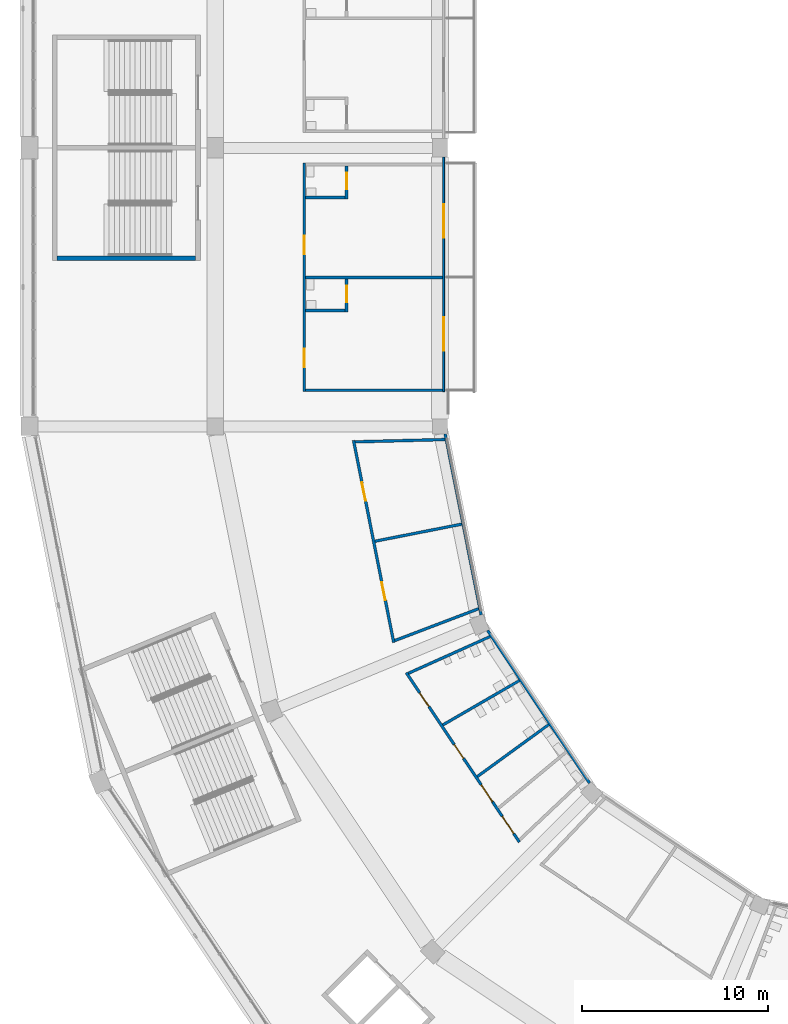
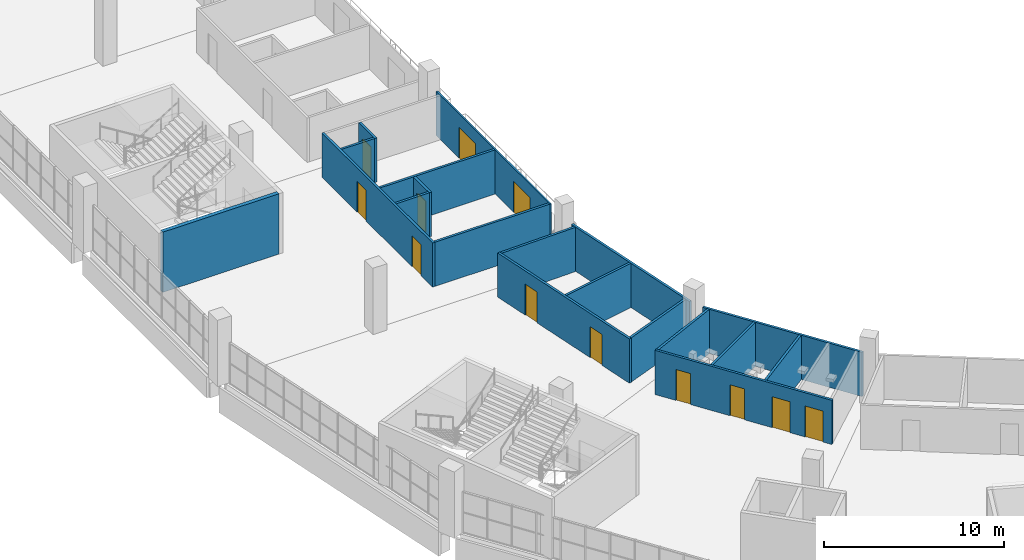
# One storey, part 74 of 199: 19 walls, 12 doors, 12 openings.
"""IFC4 building model written with IfcOpenShell, lengths in metres."""

from ifc_helpers import new_model, si_unit, direction, frame, frame_2d, origin, place, context, subcontext, project, spatial, rectangle, extrude, material, layer, layer_set, type_object, element, fill, save


model = new_model("IFC4")

# Units and contexts
model_context = context("Model", 3, precision=1e-05, world=origin(), true_north=direction((0.0, 1.0)))
body_context = subcontext(model_context, "Body", "Model", "MODEL_VIEW")
ifc_project = project(units=[si_unit("LENGTHUNIT", "METRE"), si_unit("AREAUNIT", "SQUARE_METRE"), si_unit("VOLUMEUNIT", "CUBIC_METRE"), si_unit("PLANEANGLEUNIT", "RADIAN"), si_unit("MASSUNIT", "GRAM", prefix="KILO")], contexts=[model_context])

# Site, building, storey
site_placement = place(None, origin())
site = spatial("IfcSite", under=ifc_project, at=site_placement, CompositionType="ELEMENT")
building_placement = place(site_placement, origin())
building = spatial("IfcBuilding", under=site, at=building_placement, Name="Ogive Plaza Stadium", CompositionType="ELEMENT")
storey_placement = place(building_placement, frame((0.0, 0.0, 9.0)))
storey = spatial("IfcBuildingStorey", under=building, at=storey_placement, Name="L02", CompositionType="ELEMENT", Elevation=9.0)

# Wall
ifc_material_1 = material(Name="Masonry blockwork", Category="masonry")
ifc_layer_1 = layer(ifc_material_1, 0.14990234375)
ifc_layer_set_1 = layer_set([ifc_layer_1], Name="Blockwork wall 150")
wall_type_1 = type_object("IfcWallType", Name="Blockwork wall 150", PredefinedType="SOLIDWALL", material=ifc_layer_set_1)
wall_1_placement = place(storey_placement, frame((-59.680908203125, -62.650390625, 0.0), z_axis=(0.0, 0.0, 1.0), x_axis=(-0.195086492048, 0.980786042223, 0.0)))
element("IfcWall", 1, at=wall_1_placement, inside=storey, type_object=wall_type_1, Name="Wall L02 B20", PredefinedType="SOLIDWALL", context=body_context, shape_type="SweptSolid", body=[
    extrude(rectangle(XDim=9.94140625, YDim=0.14990234375, at=frame_2d((4.970703125, 0.0))), origin(), (0.0, 0.0, 1.0), 3.0),
])

# Wall, openings, doors
wall_2_placement = place(storey_placement, frame((-64.38525390625, -64.1376953125, 0.0), z_axis=(0.0, 0.0, 1.0), x_axis=(-0.195083899224, 0.980786557954, 0.0)))
wall_2 = element("IfcWall", 2, at=wall_2_placement, inside=storey, type_object=wall_type_1, Name="Wall L02 B20", PredefinedType="SOLIDWALL", context=body_context, shape_type="SweptSolid", body=[
    extrude(rectangle(XDim=11.09912109375, YDim=0.14990234375, at=frame_2d((5.549560546875, 0.0))), origin(), (0.0, 0.0, 1.0), 3.0),
])
opening_1_placement = place(wall_2_placement, frame((2.3154296875, 0.0, 0.0)))
opening_1 = element("IfcOpeningElement", 3, at=opening_1_placement, cuts=wall_2, Name="Opening D0677", PredefinedType="OPENING", context=body_context, shape_type="SweptSolid", body=[
    extrude(rectangle(XDim=1.0, YDim=2.10009765625, at=frame_2d((0.5, 1.050048828125))), frame((0.0, 0.074951171875, 0.0), z_axis=(0.0, -1.0, 0.0), x_axis=(1.0, 0.0, 0.0)), (0.0, 0.0, 1.0), 0.14990234375),
])
opening_2_placement = place(wall_2_placement, frame((7.78369140625, 0.0, 0.0)))
opening_2 = element("IfcOpeningElement", 4, at=opening_2_placement, cuts=wall_2, Name="Opening D0678", PredefinedType="OPENING", context=body_context, shape_type="SweptSolid", body=[
    extrude(rectangle(XDim=1.0, YDim=2.10009765625, at=frame_2d((0.5, 1.050048828125))), frame((0.0, 0.074951171875, 0.0), z_axis=(0.0, -1.0, 0.0), x_axis=(1.0, 0.0, 0.0)), (0.0, 0.0, 1.0), 0.14990234375),
])
ifc_material_2 = material(Name="Steel ASTM A572 Grade 50", Category="steel")
door_type_1 = type_object("IfcDoorType", Name="Fire door FD60 1000 x 2100", OperationType="SINGLE_SWING_LEFT", PredefinedType="DOOR", material=ifc_material_2)
door_1_placement = place(opening_1_placement, origin())
door_1 = element("IfcDoor", 5, at=door_1_placement, inside=storey, type_object=door_type_1, Name="Hospitality Pantry B20 door", OperationType="SINGLE_SWING_LEFT", OverallHeight=2.10009765625, OverallWidth=1.0, PredefinedType="DOOR", context=body_context, shape_type="SweptSolid", body=[
    extrude(rectangle(XDim=1.0, YDim=2.10009765625, at=frame_2d((0.5, 1.050048828125))), frame((0.0, 0.02490234375, 0.0), z_axis=(0.0, -1.0, 0.0), x_axis=(1.0, 0.0, 0.0)), (0.0, 0.0, 1.0), 0.050048828125),
])
fill(opening_1, door_1)
door_2_placement = place(opening_2_placement, origin())
door_2 = element("IfcDoor", 6, at=door_2_placement, inside=storey, type_object=door_type_1, Name="Hospitality Store B20 door", OperationType="SINGLE_SWING_RIGHT", OverallHeight=2.10009765625, OverallWidth=1.0, PredefinedType="DOOR", context=body_context, shape_type="SweptSolid", body=[
    extrude(rectangle(XDim=1.0, YDim=2.10009765625, at=frame_2d((0.5, 1.050048828125))), frame((0.0, 0.02490234375, 0.0), z_axis=(0.0, -1.0, 0.0), x_axis=(1.0, 0.0, 0.0)), (0.0, 0.0, 1.0), 0.050048828125),
])
fill(opening_2, door_2)

# Walls
wall_3_placement = place(storey_placement, frame((-59.822265625, -62.317138671875, 0.0), z_axis=(0.0, 0.0, 1.0), x_axis=(-0.934720041951, -0.35538492255, 0.0)))
element("IfcWall", 7, at=wall_3_placement, inside=storey, type_object=wall_type_1, Name="Wall L02 B20", PredefinedType="SOLIDWALL", context=body_context, shape_type="SweptSolid", body=[
    extrude(rectangle(XDim=4.823974609375, YDim=0.14990234375, at=frame_2d((2.412109375, 0.0))), origin(), (0.0, 0.0, 1.0), 3.0),
])
wall_4_placement = place(storey_placement, frame((-60.728271484375, -57.76171875, 0.0), z_axis=(0.0, 0.0, 1.0), x_axis=(-0.981172300115, -0.19313445443, 0.0)))
element("IfcWall", 8, at=wall_4_placement, inside=storey, type_object=wall_type_1, Name="Wall L02 B20", PredefinedType="SOLIDWALL", context=body_context, shape_type="SweptSolid", body=[
    extrude(rectangle(XDim=4.7568359375, YDim=0.14990234375, at=frame_2d((2.37841796875, 0.0))), origin(), (0.0, 0.0, 1.0), 3.0),
])
wall_5_placement = place(storey_placement, frame((-61.634521484375, -53.206298828125, 0.0), z_axis=(0.0, 0.0, 1.0), x_axis=(-0.999673752981, -0.025541879345, 0.0)))
element("IfcWall", 9, at=wall_5_placement, inside=storey, type_object=wall_type_1, Name="Wall L02 B20", PredefinedType="SOLIDWALL", context=body_context, shape_type="SweptSolid", body=[
    extrude(rectangle(XDim=4.826904296875, YDim=0.14990234375, at=frame_2d((2.41357421875, 0.0))), origin(), (0.0, 0.0, 1.0), 3.0),
])

# Wall, openings, doors
wall_6_placement = place(storey_placement, frame((-69.199951171875, -38.324951171875, 0.0), z_axis=(0.0, 0.0, 1.0), x_axis=(0.0, -1.0, 0.0)))
wall_6 = element("IfcWall", 10, at=wall_6_placement, inside=storey, type_object=wall_type_1, Name="Wall L02 B21", PredefinedType="SOLIDWALL", context=body_context, shape_type="SweptSolid", body=[
    extrude(rectangle(XDim=12.300048828125, YDim=0.14990234375, at=frame_2d((6.14990234375, 0.0))), origin(), (0.0, 0.0, 1.0), 3.0),
])
opening_3_placement = place(wall_6_placement, frame((3.916015625, 0.0, 0.0)))
opening_3 = element("IfcOpeningElement", 11, at=opening_3_placement, cuts=wall_6, Name="Opening D0679", PredefinedType="OPENING", context=body_context, shape_type="SweptSolid", body=[
    extrude(rectangle(XDim=1.0, YDim=2.10009765625, at=frame_2d((0.5, 1.050048828125))), frame((0.0, 0.074951171875, 0.0), z_axis=(0.0, -1.0, 0.0), x_axis=(1.0, 0.0, 0.0)), (0.0, 0.0, 1.0), 0.14990234375),
])
opening_4_placement = place(wall_6_placement, frame((9.990966796875, 0.0, 0.0)))
opening_4 = element("IfcOpeningElement", 12, at=opening_4_placement, cuts=wall_6, Name="Opening D0680", PredefinedType="OPENING", context=body_context, shape_type="SweptSolid", body=[
    extrude(rectangle(XDim=1.0, YDim=2.10009765625, at=frame_2d((0.5, 1.050048828125))), frame((0.0, 0.074951171875, 0.0), z_axis=(0.0, -1.0, 0.0), x_axis=(1.0, 0.0, 0.0)), (0.0, 0.0, 1.0), 0.14990234375),
])
ifc_material_3 = material(Name="Steel ASTM A572 Grade 50", Category="steel")
door_type_2 = type_object("IfcDoorType", Name="Fire door FD30S 1000 x 2100", OperationType="SINGLE_SWING_LEFT", PredefinedType="DOOR", material=ifc_material_3)
door_3_placement = place(opening_3_placement, origin())
door_3 = element("IfcDoor", 13, at=door_3_placement, inside=storey, type_object=door_type_2, Name="Hospitality Suite B21 door", OperationType="SINGLE_SWING_LEFT", OverallHeight=2.10009765625, OverallWidth=1.0, PredefinedType="DOOR", context=body_context, shape_type="SweptSolid", body=[
    extrude(rectangle(XDim=1.0, YDim=2.10009765625, at=frame_2d((0.5, 1.050048828125))), frame((0.0, 0.02490234375, 0.0), z_axis=(0.0, -1.0, 0.0), x_axis=(1.0, 0.0, 0.0)), (0.0, 0.0, 1.0), 0.050048828125),
])
fill(opening_3, door_3)
door_4_placement = place(opening_4_placement, origin())
door_4 = element("IfcDoor", 14, at=door_4_placement, inside=storey, type_object=door_type_2, Name="Hospitality Suite B21 door", OperationType="SINGLE_SWING_LEFT", OverallHeight=2.10009765625, OverallWidth=1.0, PredefinedType="DOOR", context=body_context, shape_type="SweptSolid", body=[
    extrude(rectangle(XDim=1.0, YDim=2.10009765625, at=frame_2d((0.5, 1.050048828125))), frame((0.0, 0.02490234375, 0.0), z_axis=(0.0, -1.0, 0.0), x_axis=(1.0, 0.0, 0.0)), (0.0, 0.0, 1.0), 0.050048828125),
])
fill(opening_4, door_4)

# Walls
for number, where, z_axis, x_axis, name in (
    (15, (-61.75, -44.47509765625, 0.0), (0.0, 0.0, 1.0), (-1.0, 0.0, 0.0), "Wall L02 B21"),
    (16, (-61.75, -50.550048828125, 0.0), (0.0, 0.0, 1.0), (-1.0, 0.0, 0.0), "Wall L02 B21"),
):
    element("IfcWall", number, at=place(storey_placement, frame(where, z_axis=z_axis, x_axis=x_axis)), inside=storey, type_object=wall_type_1, Name=name, PredefinedType="SOLIDWALL", context=body_context, shape_type="SweptSolid", body=[
        extrude(rectangle(XDim=7.375, YDim=0.14990234375, at=frame_2d((3.6875, 0.0))), origin(), (0.0, 0.0, 1.0), 3.0),
    ])
ifc_material_4 = material(Name="Concrete C40/50", Category="concrete")
ifc_layer_2 = layer(ifc_material_4, 0.25)
ifc_layer_set_2 = layer_set([ifc_layer_2], Name="Concrete C40/50")
wall_type_2 = type_object("IfcWallType", Name="Core wall 250", PredefinedType="SHEAR", material=ifc_layer_set_2)
wall_7_placement = place(storey_placement, frame((-75.050048828125, -43.449951171875, 0.0), z_axis=(0.0, 0.0, 1.0), x_axis=(-1.0, 0.0, 0.0)))
element("IfcWall", 17, at=wall_7_placement, inside=storey, type_object=wall_type_2, Name="Stair core R22 side wall", PredefinedType="SHEAR", context=body_context, shape_type="SweptSolid", body=[
    extrude(rectangle(XDim=7.4599609375, YDim=0.25, at=frame_2d((3.72998046875, 0.0))), origin(), (0.0, 0.0, 1.0), 4.090087890625),
])

# Wall, openings, doors
ifc_material_5 = material(Name="Laminated glass in aluminium frame", Category="aluminium")
ifc_layer_3 = layer(ifc_material_5, 0.10009765625)
ifc_layer_set_3 = layer_set([ifc_layer_3], Name="Glazed partition 100")
wall_type_3 = type_object("IfcWallType", Name="Glazed partition 100", PredefinedType="PARTITIONING", material=ifc_layer_set_3)
wall_8_placement = place(storey_placement, frame((-61.699951171875, -38.0, 0.0), z_axis=(0.0, 0.0, 1.0), x_axis=(0.0, -1.0, 0.0)))
wall_8 = element("IfcWall", 18, at=wall_8_placement, inside=storey, type_object=wall_type_3, Name="Wall L02 B21", PredefinedType="PARTITIONING", context=body_context, shape_type="SweptSolid", body=[
    extrude(rectangle(XDim=12.625, YDim=0.10009765625, at=frame_2d((6.3125, 0.0))), origin(), (0.0, 0.0, 1.0), 3.0),
])
opening_5_placement = place(wall_8_placement, frame((2.53759765625, 0.0, 0.0)))
opening_5 = element("IfcOpeningElement", 19, at=opening_5_placement, cuts=wall_8, Name="Opening D0681", PredefinedType="OPENING", context=body_context, shape_type="SweptSolid", body=[
    extrude(rectangle(XDim=1.800048828125, YDim=2.10009765625, at=frame_2d((0.89990234375, 1.050048828125))), frame((0.0, 0.050048828125, 0.0), z_axis=(0.0, -1.0, 0.0), x_axis=(1.0, 0.0, 0.0)), (0.0, 0.0, 1.0), 0.10009765625),
])
opening_6_placement = place(wall_8_placement, frame((8.612548828125, 0.0, 0.0)))
opening_6 = element("IfcOpeningElement", 20, at=opening_6_placement, cuts=wall_8, Name="Opening D0682", PredefinedType="OPENING", context=body_context, shape_type="SweptSolid", body=[
    extrude(rectangle(XDim=1.800048828125, YDim=2.10009765625, at=frame_2d((0.89990234375, 1.050048828125))), frame((0.0, 0.050048828125, 0.0), z_axis=(0.0, -1.0, 0.0), x_axis=(1.0, 0.0, 0.0)), (0.0, 0.0, 1.0), 0.10009765625),
])
ifc_material_6 = material(Name="Steel ASTM A572 Grade 50", Category="steel")
door_type_3 = type_object("IfcDoorType", Name="Door pair 1800 x 2100", OperationType="DOUBLE_DOOR_SINGLE_SWING", PredefinedType="DOOR", material=ifc_material_6)
door_5_placement = place(opening_5_placement, origin())
door_5 = element("IfcDoor", 21, at=door_5_placement, inside=storey, type_object=door_type_3, Name="Suite terrace door B21", OperationType="DOUBLE_DOOR_SINGLE_SWING", OverallHeight=2.10009765625, OverallWidth=1.800048828125, PredefinedType="DOOR", context=body_context, shape_type="SweptSolid", body=[
    extrude(rectangle(XDim=1.800048828125, YDim=2.10009765625, at=frame_2d((0.89990234375, 1.050048828125))), frame((0.0, 0.02490234375, 0.0), z_axis=(0.0, -1.0, 0.0), x_axis=(1.0, 0.0, 0.0)), (0.0, 0.0, 1.0), 0.050048828125),
])
fill(opening_5, door_5)
door_6_placement = place(opening_6_placement, origin())
door_6 = element("IfcDoor", 22, at=door_6_placement, inside=storey, type_object=door_type_3, Name="Suite terrace door B21", OperationType="DOUBLE_DOOR_SINGLE_SWING", OverallHeight=2.10009765625, OverallWidth=1.800048828125, PredefinedType="DOOR", context=body_context, shape_type="SweptSolid", body=[
    extrude(rectangle(XDim=1.800048828125, YDim=2.10009765625, at=frame_2d((0.89990234375, 1.050048828125))), frame((0.0, 0.02490234375, 0.0), z_axis=(0.0, -1.0, 0.0), x_axis=(1.0, 0.0, 0.0)), (0.0, 0.0, 1.0), 0.050048828125),
])
fill(opening_6, door_6)

# Wall
ifc_material_7 = material(Name="Gypsum board partition", Category="gypsum")
ifc_layer_4 = layer(ifc_material_7, 0.14990234375)
ifc_layer_set_4 = layer_set([ifc_layer_4], Name="Partition 150")
wall_type_4 = type_object("IfcWallType", Name="Partition 150", PredefinedType="PARTITIONING", material=ifc_layer_set_4)
wall_9_placement = place(storey_placement, frame((-59.336669921875, -63.48193359375, 0.0), z_axis=(0.0, 0.0, 1.0), x_axis=(0.555582843463, -0.831461186136, 0.0)))
element("IfcWall", 23, at=wall_9_placement, inside=storey, type_object=wall_type_4, Name="Wall L02 B19", PredefinedType="PARTITIONING", context=body_context, shape_type="SweptSolid", body=[
    extrude(rectangle(XDim=9.890380859375, YDim=0.14990234375, at=frame_2d((4.9453125, 0.0))), origin(), (0.0, 0.0, 1.0), 3.0),
])

# Wall, openings, doors
wall_10_placement = place(storey_placement, frame((-63.714599609375, -65.756591796875, 0.0), z_axis=(0.0, 0.0, 1.0), x_axis=(0.555577934543, -0.831464466258, 0.0)))
wall_10 = element("IfcWall", 24, at=wall_10_placement, inside=storey, type_object=wall_type_4, Name="Wall L02 B19", PredefinedType="PARTITIONING", context=body_context, shape_type="SweptSolid", body=[
    extrude(rectangle(XDim=10.97216796875, YDim=0.14990234375, at=frame_2d((5.486083984375, 0.0))), origin(), (0.0, 0.0, 1.0), 3.0),
])
opening_7_placement = place(wall_10_placement, frame((1.306640625, 0.0, 0.0)))
opening_7 = element("IfcOpeningElement", 25, at=opening_7_placement, cuts=wall_10, Name="Opening D0673", PredefinedType="OPENING", context=body_context, shape_type="SweptSolid", body=[
    extrude(rectangle(XDim=0.89990234375, YDim=2.10009765625, at=frame_2d((0.449951171875, 1.050048828125))), frame((0.0, 0.074951171875, 0.0), z_axis=(0.0, -1.0, 0.0), x_axis=(1.0, 0.0, 0.0)), (0.0, 0.0, 1.0), 0.14990234375),
])
opening_8_placement = place(wall_10_placement, frame((4.65771484375, 0.0, 0.0)))
opening_8 = element("IfcOpeningElement", 26, at=opening_8_placement, cuts=wall_10, Name="Opening D0674", PredefinedType="OPENING", context=body_context, shape_type="SweptSolid", body=[
    extrude(rectangle(XDim=0.89990234375, YDim=2.10009765625, at=frame_2d((0.449951171875, 1.050048828125))), frame((0.0, 0.074951171875, 0.0), z_axis=(0.0, -1.0, 0.0), x_axis=(1.0, 0.0, 0.0)), (0.0, 0.0, 1.0), 0.14990234375),
])
opening_9_placement = place(wall_10_placement, frame((7.26025390625, 0.0, 0.0)))
opening_9 = element("IfcOpeningElement", 27, at=opening_9_placement, cuts=wall_10, Name="Opening D0675", PredefinedType="OPENING", context=body_context, shape_type="SweptSolid", body=[
    extrude(rectangle(XDim=1.10009765625, YDim=2.10009765625, at=frame_2d((0.550048828125, 1.050048828125))), frame((0.0, 0.074951171875, 0.0), z_axis=(0.0, -1.0, 0.0), x_axis=(1.0, 0.0, 0.0)), (0.0, 0.0, 1.0), 0.14990234375),
])
opening_10_placement = place(wall_10_placement, frame((9.314208984375, 0.0, 0.0)))
opening_10 = element("IfcOpeningElement", 28, at=opening_10_placement, cuts=wall_10, Name="Opening D0676", PredefinedType="OPENING", context=body_context, shape_type="SweptSolid", body=[
    extrude(rectangle(XDim=1.10009765625, YDim=2.10009765625, at=frame_2d((0.550048828125, 1.050048828125))), frame((0.0, 0.074951171875, 0.0), z_axis=(0.0, -1.0, 0.0), x_axis=(1.0, 0.0, 0.0)), (0.0, 0.0, 1.0), 0.14990234375),
])
ifc_material_8 = material(Name="Steel ASTM A572 Grade 50", Category="steel")
door_type_4 = type_object("IfcDoorType", Name="Accessible door 1100 x 2100", OperationType="SINGLE_SWING_LEFT", PredefinedType="DOOR", material=ifc_material_8)
door_7_placement = place(opening_9_placement, origin())
door_7 = element("IfcDoor", 29, at=door_7_placement, inside=storey, type_object=door_type_4, Name="Accessible WC B19 door", OperationType="SINGLE_SWING_LEFT", OverallHeight=2.10009765625, OverallWidth=1.10009765625, PredefinedType="DOOR", context=body_context, shape_type="SweptSolid", body=[
    extrude(rectangle(XDim=1.10009765625, YDim=2.10009765625, at=frame_2d((0.550048828125, 1.050048828125))), frame((0.0, 0.02490234375, 0.0), z_axis=(0.0, -1.0, 0.0), x_axis=(1.0, 0.0, 0.0)), (0.0, 0.0, 1.0), 0.050048828125),
])
fill(opening_9, door_7)
door_8_placement = place(opening_10_placement, origin())
door_8 = element("IfcDoor", 30, at=door_8_placement, inside=storey, type_object=door_type_4, Name="Family WC B19 door", OperationType="SINGLE_SWING_LEFT", OverallHeight=2.10009765625, OverallWidth=1.10009765625, PredefinedType="DOOR", context=body_context, shape_type="SweptSolid", body=[
    extrude(rectangle(XDim=1.10009765625, YDim=2.10009765625, at=frame_2d((0.550048828125, 1.050048828125))), frame((0.0, 0.02490234375, 0.0), z_axis=(0.0, -1.0, 0.0), x_axis=(1.0, 0.0, 0.0)), (0.0, 0.0, 1.0), 0.050048828125),
])
fill(opening_10, door_8)
ifc_material_9 = material(Name="Steel ASTM A572 Grade 50", Category="steel")
door_type_5 = type_object("IfcDoorType", Name="Door 900 x 2100", OperationType="SINGLE_SWING_LEFT", PredefinedType="DOOR", material=ifc_material_9)
door_9_placement = place(opening_7_placement, origin())
door_9 = element("IfcDoor", 31, at=door_9_placement, inside=storey, type_object=door_type_5, Name="Men's Toilet B19 door", OperationType="SINGLE_SWING_RIGHT", OverallHeight=2.10009765625, OverallWidth=0.89990234375, PredefinedType="DOOR", context=body_context, shape_type="SweptSolid", body=[
    extrude(rectangle(XDim=0.89990234375, YDim=2.10009765625, at=frame_2d((0.449951171875, 1.050048828125))), frame((0.0, 0.02490234375, 0.0), z_axis=(0.0, -1.0, 0.0), x_axis=(1.0, 0.0, 0.0)), (0.0, 0.0, 1.0), 0.050048828125),
])
fill(opening_7, door_9)
door_10_placement = place(opening_8_placement, origin())
door_10 = element("IfcDoor", 32, at=door_10_placement, inside=storey, type_object=door_type_5, Name="Women's Toilet B19 door", OperationType="SINGLE_SWING_RIGHT", OverallHeight=2.10009765625, OverallWidth=0.89990234375, PredefinedType="DOOR", context=body_context, shape_type="SweptSolid", body=[
    extrude(rectangle(XDim=0.89990234375, YDim=2.10009765625, at=frame_2d((0.449951171875, 1.050048828125))), frame((0.0, 0.02490234375, 0.0), z_axis=(0.0, -1.0, 0.0), x_axis=(1.0, 0.0, 0.0)), (0.0, 0.0, 1.0), 0.050048828125),
])
fill(opening_8, door_10)

# Walls
wall_11_placement = place(storey_placement, frame((-59.200927734375, -63.8173828125, 0.0), z_axis=(0.0, 0.0, 1.0), x_axis=(-0.912239426779, -0.409657452305, 0.0)))
element("IfcWall", 33, at=wall_11_placement, inside=storey, type_object=wall_type_4, Name="Wall L02 B19", PredefinedType="PARTITIONING", context=body_context, shape_type="SweptSolid", body=[
    extrude(rectangle(XDim=4.82373046875, YDim=0.14990234375, at=frame_2d((2.411865234375, 0.0))), origin(), (0.0, 0.0, 1.0), 3.0),
])
wall_12_placement = place(storey_placement, frame((-57.61962890625, -66.183837890625, 0.0), z_axis=(0.0, 0.0, 1.0), x_axis=(-0.865252065429, -0.5013370755, 0.0)))
element("IfcWall", 34, at=wall_12_placement, inside=storey, type_object=wall_type_4, Name="Wall L02 B19", PredefinedType="PARTITIONING", context=body_context, shape_type="SweptSolid", body=[
    extrude(rectangle(XDim=4.7666015625, YDim=0.14990234375, at=frame_2d((2.38330078125, 0.0))), origin(), (0.0, 0.0, 1.0), 3.0),
])
wall_13_placement = place(storey_placement, frame((-56.0380859375, -68.550537109375, 0.0), z_axis=(0.0, 0.0, 1.0), x_axis=(-0.808345614711, -0.58870821905, 0.0)))
element("IfcWall", 35, at=wall_13_placement, inside=storey, type_object=wall_type_4, Name="Wall L02 B19", PredefinedType="PARTITIONING", context=body_context, shape_type="SweptSolid", body=[
    extrude(rectangle(XDim=4.7607421875, YDim=0.14990234375, at=frame_2d((2.38037109375, 0.0))), origin(), (0.0, 0.0, 1.0), 3.0),
])

# Wall, opening, door
wall_14_placement = place(storey_placement, frame((-66.925048828125, -38.47509765625, 0.0), z_axis=(0.0, 0.0, 1.0), x_axis=(0.0, -1.0, 0.0)))
wall_14 = element("IfcWall", 36, at=wall_14_placement, inside=storey, type_object=wall_type_4, Name="Wall L02 B21", PredefinedType="PARTITIONING", context=body_context, shape_type="SweptSolid", body=[
    extrude(rectangle(XDim=1.77490234375, YDim=0.14990234375, at=frame_2d((0.887451171875, 0.0))), origin(), (0.0, 0.0, 1.0), 3.0),
])
opening_11_placement = place(wall_14_placement, frame((0.362548828125, 0.0, 0.0)))
opening_11 = element("IfcOpeningElement", 37, at=opening_11_placement, cuts=wall_14, Name="Opening D0683", PredefinedType="OPENING", context=body_context, shape_type="SweptSolid", body=[
    extrude(rectangle(XDim=0.89990234375, YDim=2.10009765625, at=frame_2d((0.449951171875, 1.050048828125))), frame((0.0, 0.074951171875, 0.0), z_axis=(0.0, -1.0, 0.0), x_axis=(1.0, 0.0, 0.0)), (0.0, 0.0, 1.0), 0.14990234375),
])
door_11_placement = place(opening_11_placement, origin())
door_11 = element("IfcDoor", 38, at=door_11_placement, inside=storey, type_object=door_type_5, Name="Suite WC B21 door", OperationType="SINGLE_SWING_RIGHT", OverallHeight=2.10009765625, OverallWidth=0.89990234375, PredefinedType="DOOR", context=body_context, shape_type="SweptSolid", body=[
    extrude(rectangle(XDim=0.89990234375, YDim=2.10009765625, at=frame_2d((0.449951171875, 1.050048828125))), frame((0.0, 0.02490234375, 0.0), z_axis=(0.0, -1.0, 0.0), x_axis=(1.0, 0.0, 0.0)), (0.0, 0.0, 1.0), 0.050048828125),
])
fill(opening_11, door_11)

# Wall
wall_15_placement = place(storey_placement, frame((-67.0, -40.175048828125, 0.0), z_axis=(0.0, 0.0, 1.0), x_axis=(-1.0, 0.0, 0.0)))
element("IfcWall", 39, at=wall_15_placement, inside=storey, type_object=wall_type_4, Name="Wall L02 B21", PredefinedType="PARTITIONING", context=body_context, shape_type="SweptSolid", body=[
    extrude(rectangle(XDim=2.125, YDim=0.14990234375, at=frame_2d((1.0625, 0.0))), origin(), (0.0, 0.0, 1.0), 3.0),
])

# Wall, opening, door
wall_16_placement = place(storey_placement, frame((-66.925048828125, -44.550048828125, 0.0), z_axis=(0.0, 0.0, 1.0), x_axis=(0.0, -1.0, 0.0)))
wall_16 = element("IfcWall", 40, at=wall_16_placement, inside=storey, type_object=wall_type_4, Name="Wall L02 B21", PredefinedType="PARTITIONING", context=body_context, shape_type="SweptSolid", body=[
    extrude(rectangle(XDim=1.77490234375, YDim=0.14990234375, at=frame_2d((0.887451171875, 0.0))), origin(), (0.0, 0.0, 1.0), 3.0),
])
opening_12_placement = place(wall_16_placement, frame((0.362548828125, 0.0, 0.0)))
opening_12 = element("IfcOpeningElement", 41, at=opening_12_placement, cuts=wall_16, Name="Opening D0684", PredefinedType="OPENING", context=body_context, shape_type="SweptSolid", body=[
    extrude(rectangle(XDim=0.89990234375, YDim=2.10009765625, at=frame_2d((0.449951171875, 1.050048828125))), frame((0.0, 0.074951171875, 0.0), z_axis=(0.0, -1.0, 0.0), x_axis=(1.0, 0.0, 0.0)), (0.0, 0.0, 1.0), 0.14990234375),
])
door_12_placement = place(opening_12_placement, origin())
door_12 = element("IfcDoor", 42, at=door_12_placement, inside=storey, type_object=door_type_5, Name="Suite WC B21 door", OperationType="SINGLE_SWING_LEFT", OverallHeight=2.10009765625, OverallWidth=0.89990234375, PredefinedType="DOOR", context=body_context, shape_type="SweptSolid", body=[
    extrude(rectangle(XDim=0.89990234375, YDim=2.10009765625, at=frame_2d((0.449951171875, 1.050048828125))), frame((0.0, 0.02490234375, 0.0), z_axis=(0.0, -1.0, 0.0), x_axis=(1.0, 0.0, 0.0)), (0.0, 0.0, 1.0), 0.050048828125),
])
fill(opening_12, door_12)

# Wall
wall_17_placement = place(storey_placement, frame((-67.0, -46.25, 0.0), z_axis=(0.0, 0.0, 1.0), x_axis=(-1.0, 0.0, 0.0)))
element("IfcWall", 43, at=wall_17_placement, inside=storey, type_object=wall_type_4, Name="Wall L02 B21", PredefinedType="PARTITIONING", context=body_context, shape_type="SweptSolid", body=[
    extrude(rectangle(XDim=2.125, YDim=0.14990234375, at=frame_2d((1.0625, 0.0))), origin(), (0.0, 0.0, 1.0), 3.0),
])

save(model, "model.ifc")
